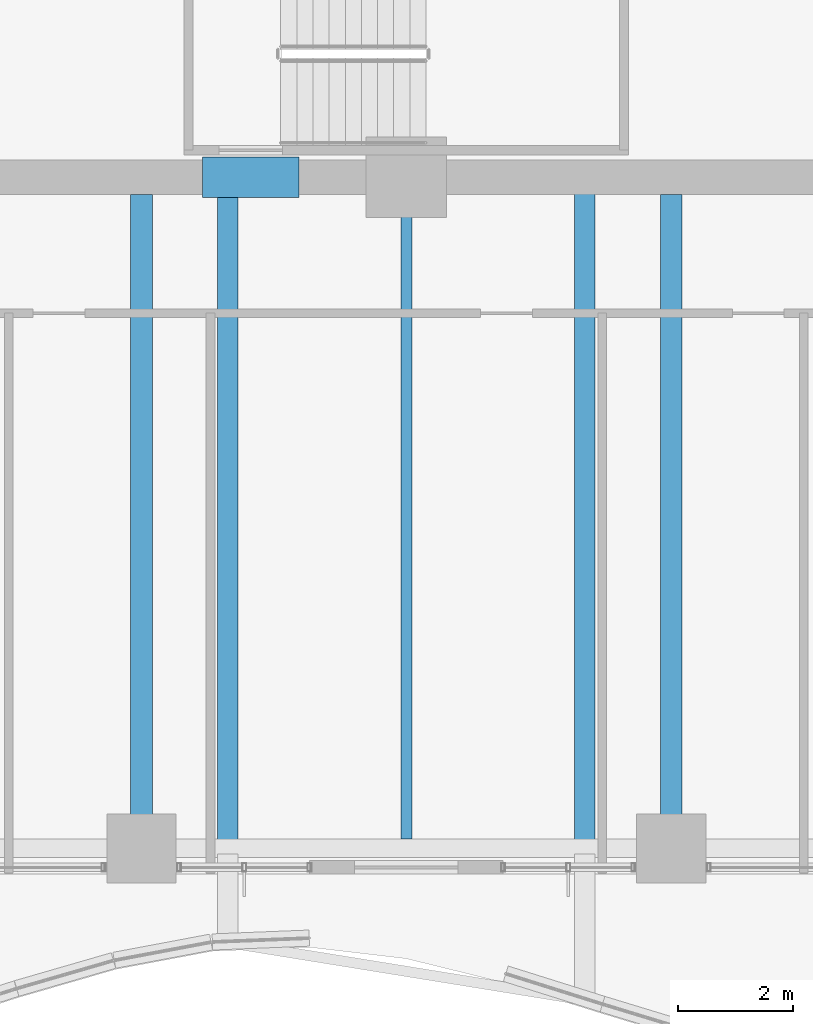
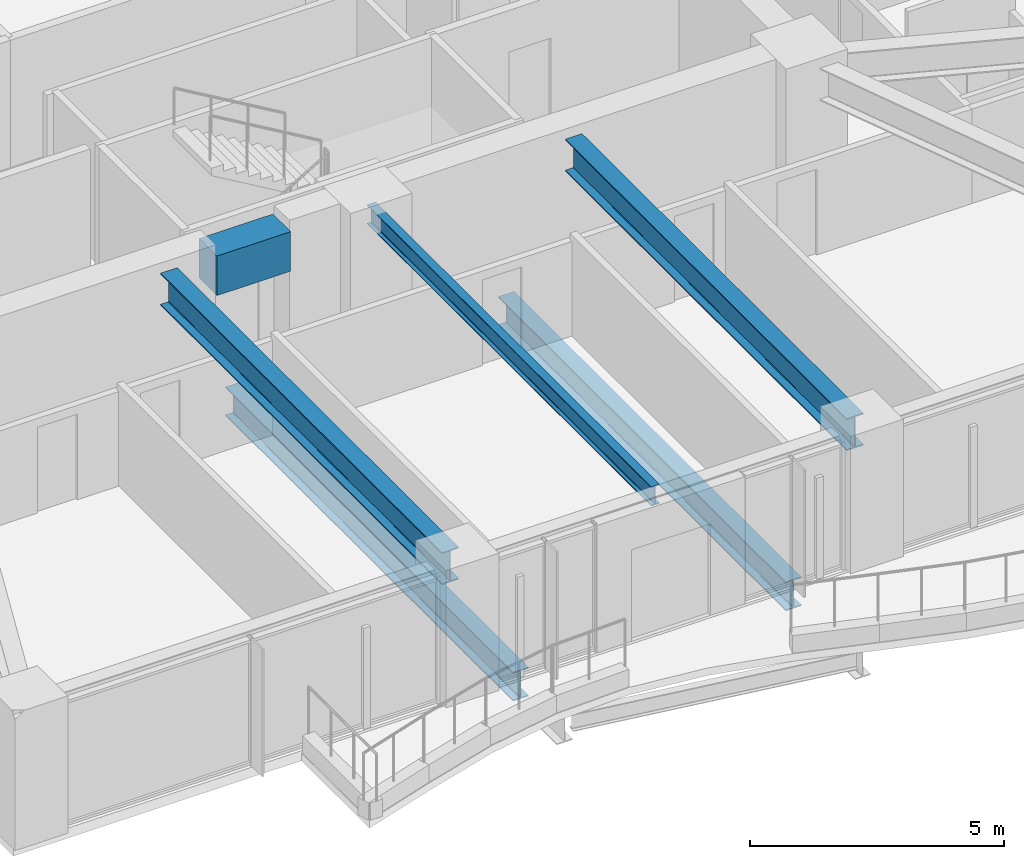
# One storey, part 7 of 38: 6 beams.
"""IFC4 building model written with IfcOpenShell, lengths in metres."""

from ifc_helpers import new_model, si_unit, direction, frame, origin, origin_2d, place, context, subcontext, project, spatial, rectangle, i_section, extrude, material, material_profile, profile_set, type_object, element, save


model = new_model("IFC4")

# Units and contexts
model_context = context("Model", 3, precision=1e-05, world=origin(), true_north=direction((0.0, 1.0)))
body_context = subcontext(model_context, "Body", "Model", "MODEL_VIEW")
ifc_project = project(units=[si_unit("LENGTHUNIT", "METRE"), si_unit("AREAUNIT", "SQUARE_METRE"), si_unit("VOLUMEUNIT", "CUBIC_METRE"), si_unit("PLANEANGLEUNIT", "RADIAN"), si_unit("MASSUNIT", "GRAM", prefix="KILO")], contexts=[model_context])

# Site, building, storey
site_placement = place(None, origin())
site = spatial("IfcSite", under=ifc_project, at=site_placement, CompositionType="ELEMENT")
building_placement = place(site_placement, origin())
building = spatial("IfcBuilding", under=site, at=building_placement, Name="Kolvaren Belvedere", CompositionType="ELEMENT")
storey_placement = place(building_placement, frame((0.0, 0.0, 30.39990234375)))
storey = spatial("IfcBuildingStorey", under=building, at=storey_placement, Name="L08", CompositionType="ELEMENT", Elevation=30.39990234375)

# Beams
ifc_material_1 = material(Name="Structural steel ASTM A992 Grade 50", Category="steel")
ifc_material_profile_1 = material_profile(ifc_material_1, i_section(OverallWidth=0.35498046875, OverallDepth=0.696044921875, WebThickness=0.015380859375, FlangeThickness=0.02490234375, FilletRadius=0.02197265625, at=origin_2d()), Name="W27X146")
ifc_profile_set_1 = profile_set([ifc_material_profile_1], Name="Structural steel ASTM A992 Grade 50")
beam_type_1 = type_object("IfcBeamType", Name="BM-GIRD-W27X146", PredefinedType="BEAM", material=ifc_profile_set_1)
for number, where, z_axis, x_axis, name in (
    (1, (-3.10009765625, -10.139892578125, -0.587890625), (0.0, -1.0, 0.0), (1.0, 0.0, 0.0), "L08 Balcony Interior Back-Span Girder BAL-S-1"),
    (2, (3.10009765625, -10.139892578125, -0.587890625), (0.0, -1.0, 0.0), (1.0, 0.0, 0.0), "L08 Balcony Interior Back-Span Girder BAL-S-2"),
):
    element("IfcBeam", number, at=place(storey_placement, frame(where, z_axis=z_axis, x_axis=x_axis)), inside=storey, type_object=beam_type_1, Name=name, PredefinedType="BEAM", context=body_context, shape_type="SweptSolid", body=[
        extrude(i_section(OverallWidth=0.35498046875, OverallDepth=0.696044921875, WebThickness=0.015380859375, FlangeThickness=0.02490234375, FilletRadius=0.02197265625, at=origin_2d()), origin(), (0.0, 0.0, 1.0), 11.315185546875),
    ])
ifc_material_2 = material(Name="Structural steel ASTM A992 Grade 50", Category="steel")
ifc_material_profile_2 = material_profile(ifc_material_2, i_section(OverallWidth=0.381103515625, OverallDepth=0.77294921875, WebThickness=0.0166015625, FlangeThickness=0.027099609375, FilletRadius=0.02392578125, at=origin_2d()), Name="W30X173")
ifc_profile_set_2 = profile_set([ifc_material_profile_2], Name="Structural steel ASTM A992 Grade 50")
beam_type_2 = type_object("IfcBeamType", Name="BM-GIRD-W30X173", PredefinedType="BEAM", material=ifc_profile_set_2)
for number, where, z_axis, x_axis, name in (
    (3, (4.60009765625, -10.199951171875, 2.673583984375), (0.0, -1.0, 0.0), (1.0, 0.0, 0.0), "L08 South Radial Girder P"),
    (4, (-4.60009765625, -10.199951171875, 2.673583984375), (0.0, -1.0, 0.0), (1.0, 0.0, 0.0), "L08 South Radial Girder M"),
):
    element("IfcBeam", number, at=place(storey_placement, frame(where, z_axis=z_axis, x_axis=x_axis)), inside=storey, type_object=beam_type_2, Name=name, PredefinedType="BEAM", context=body_context, shape_type="SweptSolid", body=[
        extrude(i_section(OverallWidth=0.381103515625, OverallDepth=0.77294921875, WebThickness=0.0166015625, FlangeThickness=0.027099609375, FilletRadius=0.02392578125, at=origin_2d()), origin(), (0.0, 0.0, 1.0), 11.080078125),
    ])
ifc_material_3 = material(Name="Structural steel ASTM A992 Grade 50", Category="steel")
ifc_material_profile_3 = material_profile(ifc_material_3, i_section(OverallWidth=0.19091796875, OverallDepth=0.4599609375, WebThickness=0.010009765625, FlangeThickness=0.01611328125, FilletRadius=0.014892578125, at=origin_2d()), Name="W18X55")
ifc_profile_set_3 = profile_set([ifc_material_profile_3], Name="Structural steel ASTM A992 Grade 50")
beam_type_3 = type_object("IfcBeamType", Name="BM-JOIST-W18X55", PredefinedType="BEAM", material=ifc_profile_set_3)
beam_1_placement = place(storey_placement, frame((0.0, -10.199951171875, 2.830078125), z_axis=(0.0, -1.0, 0.0), x_axis=(1.0, 0.0, 0.0)))
element("IfcBeam", 5, at=beam_1_placement, inside=storey, type_object=beam_type_3, Name="L08 South Centre Floor Beam", PredefinedType="BEAM", context=body_context, shape_type="SweptSolid", body=[
    extrude(i_section(OverallWidth=0.19091796875, OverallDepth=0.4599609375, WebThickness=0.010009765625, FlangeThickness=0.01611328125, FilletRadius=0.014892578125, at=origin_2d()), origin(), (0.0, 0.0, 1.0), 11.1875),
])
ifc_material_4 = material(Name="Concrete C60/75", Category="concrete")
ifc_material_profile_4 = material_profile(ifc_material_4, rectangle(XDim=0.699951171875, YDim=0.949951171875, at=origin_2d()), Name="RC 700X950")
ifc_profile_set_4 = profile_set([ifc_material_profile_4], Name="Concrete C60/75")
beam_type_4 = type_object("IfcBeamType", Name="BM-LINT-950", PredefinedType="LINTEL", material=ifc_profile_set_4)
beam_2_placement = place(storey_placement, frame((-3.5400390625, -9.89990234375, 2.585205078125), z_axis=(1.0, 0.0, 0.0), x_axis=(0.0, 1.0, 0.0)))
element("IfcBeam", 6, at=beam_2_placement, inside=storey, type_object=beam_type_4, Name="L08 South Core Coupling Lintel", PredefinedType="LINTEL", context=body_context, shape_type="SweptSolid", body=[
    extrude(rectangle(XDim=0.699951171875, YDim=0.949951171875, at=origin_2d()), origin(), (0.0, 0.0, 1.0), 1.679931640625),
])

save(model, "model.ifc")
